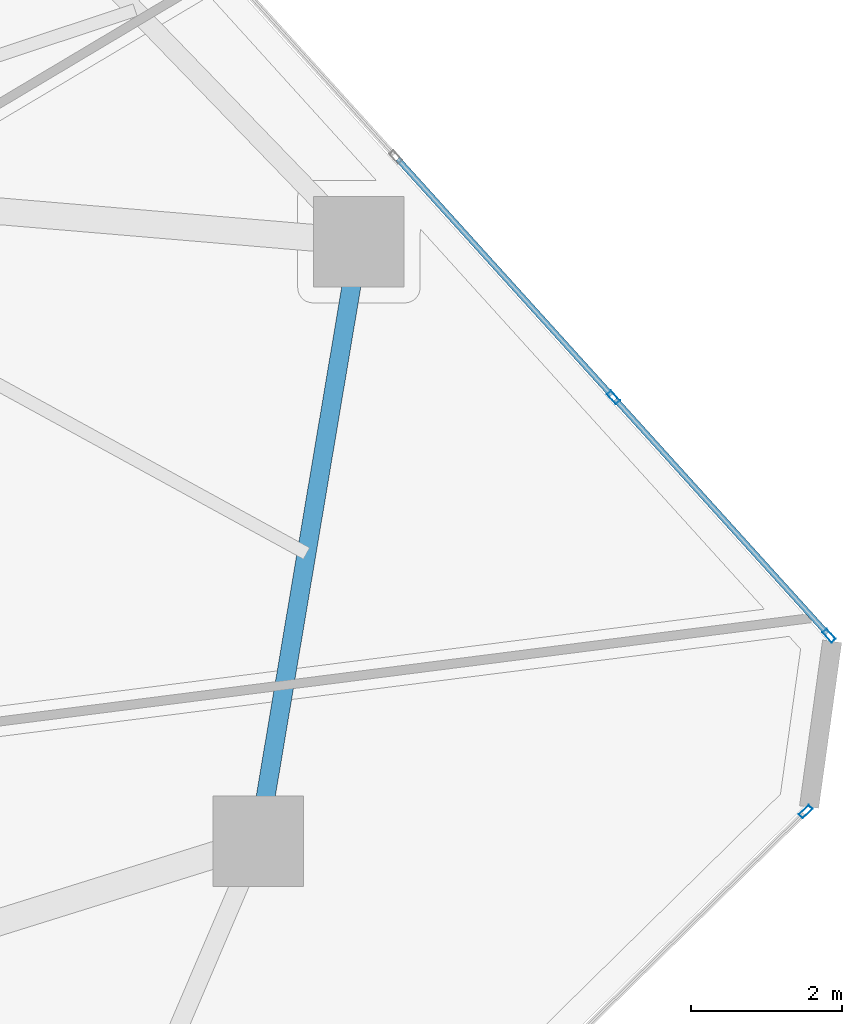
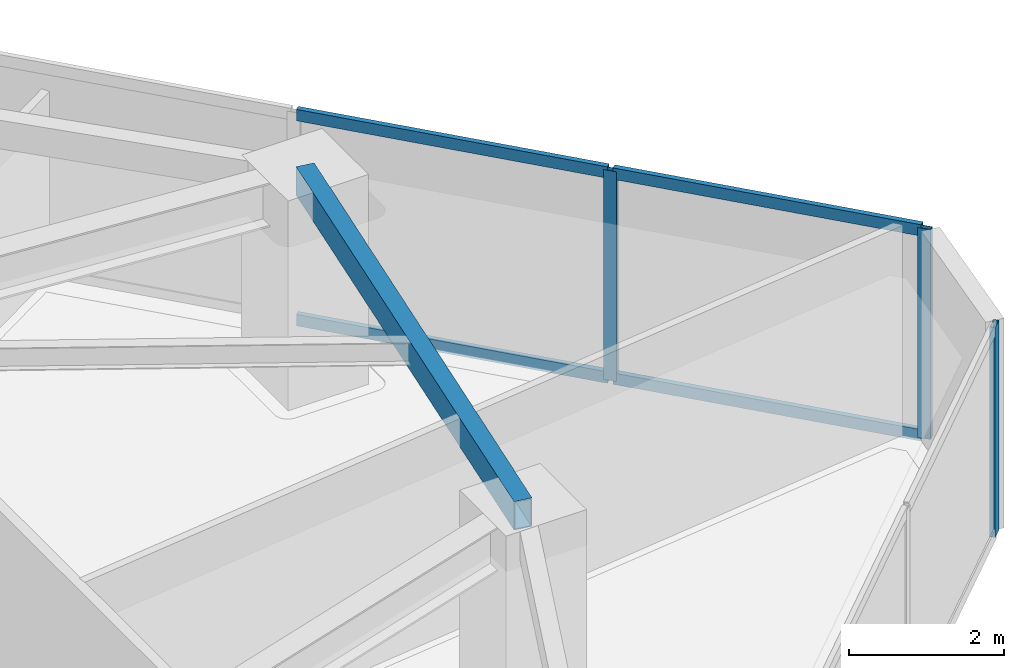
# One storey, part 14 of 21: 7 members, 1 beam, 2 elements without a shape of their own.
"""IFC4 building model written with IfcOpenShell, lengths in metres."""

import ifcopenshell
import ifcopenshell.guid

model = None  # the IFC model being written
_history = None  # IfcOwnerHistory: only IFC2X3 demands one
_inside = {}  # id of a spatial element -> (the spatial element, [elements in it])
_under = {}  # id of a project, library or spatial element -> (it, [spatial elements below it])
_declared = {}  # id of a project -> (the project, [libraries it declares])
_typed = {}  # id of a type object -> (the type object, [elements of that type])
_made_of = {}  # id of a material, layer set ... -> (it, [elements and type objects made of it])


def new_model(schema):
    """Start an empty IFC model of exactly this schema.

    Asked for "IFC4X3", IfcOpenShell would pick the latest addendum, in which some entities
    have other attributes; the version numbers below select the first issue.
    IFC2X3 requires an IfcOwnerHistory on every rooted entity: one is made here for all.
    """
    global model, _history
    if schema == "IFC4X3":
        model = ifcopenshell.file(schema_version=(4, 3, 0, 0))
    else:
        model = ifcopenshell.file(schema=schema)
    _inside.clear()
    _under.clear()
    _declared.clear()
    _typed.clear()
    _made_of.clear()
    _history = None
    if model.schema == "IFC2X3":
        org = make("IfcOrganization", Name="unknown")
        user = make(
            "IfcPersonAndOrganization",
            ThePerson=make("IfcPerson", FamilyName="unknown"),
            TheOrganization=org,
        )
        app = make(
            "IfcApplication",
            ApplicationDeveloper=org,
            Version="unknown",
            ApplicationFullName="unknown",
            ApplicationIdentifier="unknown",
        )
        _history = make(
            "IfcOwnerHistory",
            OwningUser=user,
            OwningApplication=app,
            ChangeAction="ADDED",
            CreationDate=0,
        )
    return model


def make(cls, **values):
    """One entity of the class cls with the attributes given. An attribute that is None is left unset."""
    return model.create_entity(
        cls, **{name: value for name, value in values.items() if value is not None}
    )


def rooted(cls, **values):
    """An entity with a GlobalId (a new one), such as an element, a storey or a relation."""
    return make(cls, GlobalId=ifcopenshell.guid.new(), OwnerHistory=_history, **values)


def si_unit(unit_type, name, prefix=None):
    """IfcSIUnit, for example si_unit("LENGTHUNIT", "METRE", prefix="MILLI")."""
    return make("IfcSIUnit", UnitType=unit_type, Prefix=prefix, Name=name)


def assignment(units):
    """IfcUnitAssignment: the units of a project."""
    return None if units is None else make("IfcUnitAssignment", Units=units)


def point(xyz):
    """IfcCartesianPoint."""
    return None if xyz is None else make("IfcCartesianPoint", Coordinates=xyz)


def direction(xyz):
    """IfcDirection."""
    return None if xyz is None else make("IfcDirection", DirectionRatios=xyz)


def frame(location, z_axis=None, x_axis=None):
    """IfcAxis2Placement3D, a coordinate frame: its origin and axes. An axis left out is left unset."""
    return make(
        "IfcAxis2Placement3D",
        Location=point(location),
        Axis=direction(z_axis),
        RefDirection=direction(x_axis),
    )


def frame_2d(location, x_axis=None):
    """IfcAxis2Placement2D, a coordinate frame in the plane: its origin and x axis."""
    return make(
        "IfcAxis2Placement2D", Location=point(location), RefDirection=direction(x_axis)
    )


def origin():
    """The frame at (0, 0, 0) with its axes left unset."""
    return frame((0.0, 0.0, 0.0))


def origin_2d():
    """The frame at (0, 0) in the plane with its x axis left unset."""
    return frame_2d((0.0, 0.0))


def place(relative_to, where):
    """IfcLocalPlacement: puts the frame where relative to a parent placement (None: the world)."""
    return make(
        "IfcLocalPlacement", PlacementRelTo=relative_to, RelativePlacement=where
    )


def context(
    kind, dimensions, precision=None, world=None, true_north=None, identifier=None
):
    """IfcGeometricRepresentationContext, for example the 3D "Model" context."""
    return make(
        "IfcGeometricRepresentationContext",
        ContextIdentifier=identifier,
        ContextType=kind,
        CoordinateSpaceDimension=dimensions,
        Precision=precision,
        WorldCoordinateSystem=world,
        TrueNorth=true_north,
    )


def subcontext(parent, identifier, kind, view, scale=None):
    """IfcGeometricRepresentationSubContext, for example "Body" below "Model"."""
    return make(
        "IfcGeometricRepresentationSubContext",
        ContextIdentifier=identifier,
        ContextType=kind,
        ParentContext=parent,
        TargetScale=scale,
        TargetView=view,
    )


def project(units=None, contexts=None):
    """IfcProject with its units and contexts."""
    return rooted(
        "IfcProject",
        Name="project",
        RepresentationContexts=contexts,
        UnitsInContext=assignment(units),
    )


def spatial(cls, under=None, at=None, **own):
    """A site, building, storey or space (cls), placed at a placement, below another one or the project."""
    s = rooted(cls, ObjectPlacement=at, **own)
    if under is not None:
        _under.setdefault(under.id(), (under, []))[1].append(s)
    return s


def profile(cls, at=None, kind="AREA", **sizes):
    """A parametric profile (cls). Its sizes go by their IFC names, for example OverallWidth=200.0."""
    return make(cls, ProfileType=kind, Position=at, **sizes)


def hollow_rectangle(**sizes):
    """IfcRectangleHollowProfileDef."""
    return profile("IfcRectangleHollowProfileDef", **sizes)


def extrude(swept, where, along, depth):
    """IfcExtrudedAreaSolid: the profile swept, set in the frame where, extruded along a direction by depth."""
    return make(
        "IfcExtrudedAreaSolid",
        SweptArea=swept,
        Position=where,
        ExtrudedDirection=direction(along),
        Depth=depth,
    )


def shape(context_of_items, identifier, shape_type, items):
    """IfcShapeRepresentation: the items that make up one representation, for example the "Body"."""
    return make(
        "IfcShapeRepresentation",
        ContextOfItems=context_of_items,
        RepresentationIdentifier=identifier,
        RepresentationType=shape_type,
        Items=items,
    )


def source(mapping_origin, context_of_items, identifier, shape_type, items):
    """IfcRepresentationMap: a shape defined once, which mapped items show again and again."""
    return make(
        "IfcRepresentationMap",
        MappingOrigin=mapping_origin,
        MappedRepresentation=shape(context_of_items, identifier, shape_type, items),
    )


def transform(
    local_origin,
    x_axis=None,
    y_axis=None,
    z_axis=None,
    scale=None,
    scale2=None,
    scale3=None,
    uniform=True,
):
    """IfcCartesianTransformationOperator3D, or its non-uniform kind. x_axis, y_axis, z_axis: its Axis1, 2, 3."""
    if uniform:
        return make(
            "IfcCartesianTransformationOperator3D",
            Axis1=direction(x_axis),
            Axis2=direction(y_axis),
            LocalOrigin=point(local_origin),
            Scale=scale,
            Axis3=direction(z_axis),
        )
    return make(
        "IfcCartesianTransformationOperator3DnonUniform",
        Axis1=direction(x_axis),
        Axis2=direction(y_axis),
        LocalOrigin=point(local_origin),
        Scale=scale,
        Axis3=direction(z_axis),
        Scale2=scale2,
        Scale3=scale3,
    )


def mapped(mapping_source, mapping_target):
    """IfcMappedItem: shows the shape of a source again, moved by a transform."""
    return make(
        "IfcMappedItem", MappingSource=mapping_source, MappingTarget=mapping_target
    )


def material(Name=None, Category=None):
    """IfcMaterial."""
    return make("IfcMaterial", Name=Name, Category=Category)


def layer(
    of_material, thickness, ventilated=None, Name=None, Category=None, Priority=None
):
    """IfcMaterialLayer: one layer of a wall or slab, of a material (None: an air gap)."""
    return make(
        "IfcMaterialLayer",
        Material=of_material,
        LayerThickness=thickness,
        IsVentilated=ventilated,
        Name=Name,
        Category=Category,
        Priority=Priority,
    )


def layer_set(layers, Name=None):
    """IfcMaterialLayerSet."""
    return make("IfcMaterialLayerSet", MaterialLayers=layers, LayerSetName=Name)


def material_profile(
    of_material, cross_section, Name=None, Category=None, Priority=None
):
    """IfcMaterialProfile: a cross section and its material."""
    return make(
        "IfcMaterialProfile",
        Name=Name,
        Material=of_material,
        Profile=cross_section,
        Priority=Priority,
        Category=Category,
    )


def profile_set(profiles, Name=None, composite=None):
    """IfcMaterialProfileSet."""
    return make(
        "IfcMaterialProfileSet",
        Name=Name,
        MaterialProfiles=profiles,
        CompositeProfile=composite,
    )


def made_of(thing, what):
    """Note that an element or type object is made of a material, layer set ...; save() writes the relation."""
    if what is not None:
        _made_of.setdefault(what.id(), (what, []))[1].append(thing)
    return thing


def type_object(cls, material=None, **own):
    """A type object (cls), such as IfcWallType, which elements share."""
    return made_of(rooted(cls, **own), material)


def type_shapes(of_type, sources):
    """Give a type object the sources (RepresentationMaps) that its elements show as mapped items."""
    of_type.RepresentationMaps = sources


def element(
    cls,
    number,
    at=None,
    inside=None,
    cuts=None,
    type_object=None,
    material=None,
    context=None,
    identifier="Body",
    shape_type=None,
    held_by="IfcProductDefinitionShape",
    body=None,
    shapes=None,
    **own,
):
    """One element of the class cls, such as IfcWall. Its Tag is "e" and its number.

    at: its placement. inside: the storey or other place that contains it. cuts: it is an
    opening in that element (IfcRelVoidsElement). A single representation is given by context,
    identifier, shape_type and body (its items); several are given by shapes. held_by: the class
    of the entity that holds the representations. save() writes the other relations.
    """
    e = rooted(cls, Tag="e%d" % number, ObjectPlacement=at, **own)
    if body is not None:
        shapes = [shape(context, identifier, shape_type, body)]
    if shapes is not None:
        e.Representation = make(held_by, Representations=shapes)
    if inside is not None:
        _inside.setdefault(inside.id(), (inside, []))[1].append(e)
    if cuts is not None:
        rooted(
            "IfcRelVoidsElement", RelatingBuildingElement=cuts, RelatedOpeningElement=e
        )
    if type_object is not None:
        _typed.setdefault(type_object.id(), (type_object, []))[1].append(e)
    return made_of(e, material)


def aggregate(whole, parts):
    """IfcRelAggregates: a whole, such as a stair, and the parts it consists of."""
    return rooted("IfcRelAggregates", RelatingObject=whole, RelatedObjects=parts)


def save(model, path):
    """Write the relations noted so far, then the file.

    IfcRelAggregates (storeys below a building ...), IfcRelContainedInSpatialStructure (elements
    in a storey), IfcRelDefinesByType, IfcRelAssociatesMaterial and IfcRelDeclares: one each for
    every whole, place, type object, material and project.
    """
    for whole, parts in _under.values():
        aggregate(whole, parts)
    for where, things in _inside.values():
        rooted(
            "IfcRelContainedInSpatialStructure",
            RelatedElements=things,
            RelatingStructure=where,
        )
    for kind, things in _typed.values():
        rooted("IfcRelDefinesByType", RelatedObjects=things, RelatingType=kind)
    for what, things in _made_of.values():
        rooted("IfcRelAssociatesMaterial", RelatedObjects=things, RelatingMaterial=what)
    for by, libraries in _declared.values():
        rooted("IfcRelDeclares", RelatingContext=by, RelatedDefinitions=libraries)
    model.write(path)


model = new_model("IFC4")

# Units and contexts
model_context = context("Model", 3, precision=1e-05, world=origin(), true_north=direction((0.0, 1.0)))
body_context = subcontext(model_context, "Body", "Model", "MODEL_VIEW")
ifc_project = project(units=[si_unit("LENGTHUNIT", "METRE"), si_unit("AREAUNIT", "SQUARE_METRE"), si_unit("VOLUMEUNIT", "CUBIC_METRE"), si_unit("PLANEANGLEUNIT", "RADIAN"), si_unit("MASSUNIT", "GRAM", prefix="KILO")], contexts=[model_context])

# Site, building, storey
site_placement = place(None, origin())
site = spatial("IfcSite", under=ifc_project, at=site_placement, CompositionType="ELEMENT")
building_placement = place(site_placement, origin())
building = spatial("IfcBuilding", under=site, at=building_placement, Name="Talar Marvaseh", CompositionType="ELEMENT")
storey_placement = place(building_placement, frame((0.0, 0.0, 93.0)))
storey = spatial("IfcBuildingStorey", under=building, at=storey_placement, Name="L23", CompositionType="ELEMENT", Elevation=93.0)

# Beam
ifc_material_1 = material(Name="Steel S355", Category="steel")
ifc_material_profile_1 = material_profile(ifc_material_1, hollow_rectangle(XDim=0.25, YDim=0.449951171875, WallThickness=0.01611328125, at=origin_2d()), Name="RHS450x250x16")
ifc_profile_set_1 = profile_set([ifc_material_profile_1], Name="Steel S355")
beam_type = type_object("IfcBeamType", Name="Zone 2 Perimeter Spandrel Beam RHS450x250x16", PredefinedType="SPANDREL", material=ifc_profile_set_1)
beam_placement = place(storey_placement, frame((43.0439453125, 36.075927734375, 3.0849609375), z_axis=(-0.165641685249, -0.986186002795, 0.0), x_axis=(0.986186002795, -0.165641685249, 0.0)))
element("IfcBeam", 1, at=beam_placement, inside=storey, type_object=beam_type, Name="L23 Zone 2 Perimeter Spandrel Beam RHS450x250x16", PredefinedType="SPANDREL", context=body_context, shape_type="SweptSolid", body=[
    extrude(hollow_rectangle(XDim=0.25, YDim=0.449951171875, WallThickness=0.01611328125, at=origin_2d()), origin(), (0.0, 0.0, 1.0), 8.059326171875),
])

# Curtain wall, members
ifc_material_2 = material(Name="Architectural Aluminium", Category="aluminium")
ifc_layer = layer(ifc_material_2, 0.199951171875)
ifc_layer_set = layer_set([ifc_layer], Name="Architectural Aluminium")
curtain_wall_type = type_object("IfcCurtainWallType", Name="Unitised Acoustic Library Curtain Wall Z2", PredefinedType="NOTDEFINED", material=ifc_layer_set)
curtain_wall_1_placement = place(storey_placement, origin())
curtain_wall_1 = element("IfcCurtainWall", 2, at=curtain_wall_1_placement, inside=storey, type_object=curtain_wall_type, Name="L23 Unitised Acoustic Library Curtain Wall Z2", PredefinedType="NOTDEFINED")
ifc_material_profile_2 = material_profile(ifc_material_2, hollow_rectangle(XDim=0.074951171875, YDim=0.179931640625, WallThickness=0.0048828125, at=origin_2d()), Name="RHS180x75x5")
ifc_profile_set_2 = profile_set([ifc_material_profile_2], Name="Architectural Aluminium")
member_type_1 = type_object("IfcMemberType", Name="Unitised Curtain Wall Standard Mullion RHS180x75x5", PredefinedType="MULLION", material=ifc_profile_set_2)
shared_shape_1 = source(origin(), body_context, "Body", "SweptSolid", [
    extrude(hollow_rectangle(XDim=0.074951171875, YDim=0.179931640625, WallThickness=0.0048828125, at=origin_2d()), origin(), (0.0, 0.0, 1.0), 3.31005859375),
])
type_shapes(member_type_1, [shared_shape_1])
member_1_placement = place(storey_placement, frame((46.417724609375, 34.0126953125, 0.0), z_axis=(0.0, 0.0, 1.0), x_axis=(0.741347372116, 0.67112150454, 0.0)))
member_1 = element("IfcMember", 3, at=member_1_placement, type_object=member_type_1, Name="CW-Z2 mullion 4", PredefinedType="MULLION", context=body_context, shape_type="MappedRepresentation", body=[
    mapped(shared_shape_1, transform((0.0, 0.0, 0.0), x_axis=(1.0, 0.0, 0.0), y_axis=(0.0, 1.0, 0.0), z_axis=(0.0, 0.0, 1.0), scale=1.0)),
])
member_2_placement = place(storey_placement, frame((49.277099609375, 30.854248046875, 0.0), z_axis=(0.0, 0.0, 1.0), x_axis=(0.741347372116, 0.67112150454, 0.0)))
member_2 = element("IfcMember", 4, at=member_2_placement, type_object=member_type_1, Name="CW-Z2 mullion 5", PredefinedType="MULLION", context=body_context, shape_type="MappedRepresentation", body=[
    mapped(shared_shape_1, transform((0.0, 0.0, 0.0), x_axis=(1.0, 0.0, 0.0), y_axis=(0.0, 1.0, 0.0), z_axis=(0.0, 0.0, 1.0), scale=1.0)),
])

# Curtain wall, member
curtain_wall_2_placement = place(storey_placement, origin())
curtain_wall_2 = element("IfcCurtainWall", 5, at=curtain_wall_2_placement, inside=storey, type_object=curtain_wall_type, Name="L23 Unitised Acoustic Library Curtain Wall Z2", PredefinedType="NOTDEFINED")
member_3_placement = place(storey_placement, frame((48.96728515625, 28.521728515625, 0.0), z_axis=(0.0, 0.0, 1.0), x_axis=(0.700796979423, -0.713360773825, 0.0)))
member_3 = element("IfcMember", 6, at=member_3_placement, type_object=member_type_1, Name="CW-Z2 mullion 1", PredefinedType="MULLION", context=body_context, shape_type="MappedRepresentation", body=[
    mapped(shared_shape_1, transform((0.0, 0.0, 0.0), x_axis=(1.0, 0.0, 0.0), y_axis=(0.0, 1.0, 0.0), z_axis=(0.0, 0.0, 1.0), scale=1.0)),
])
aggregate(curtain_wall_2, [member_3])

# Member
ifc_material_profile_3 = material_profile(ifc_material_2, hollow_rectangle(XDim=0.074951171875, YDim=0.179931640625, WallThickness=0.0048828125, at=origin_2d()), Name="RHS180x75x5")
ifc_profile_set_3 = profile_set([ifc_material_profile_3], Name="Architectural Aluminium")
member_type_2 = type_object("IfcMemberType", Name="Unitised Curtain Wall Transom RHS180x75x5", PredefinedType="USERDEFINED", material=ifc_profile_set_3)
shared_shape_2 = source(origin(), body_context, "Body", "SweptSolid", [
    extrude(hollow_rectangle(XDim=0.074951171875, YDim=0.179931640625, WallThickness=0.0048828125, at=origin_2d()), origin(), (0.0, 0.0, 1.0), 4.222900390625),
])
member_4_placement = place(storey_placement, frame((43.55859375, 37.171142578125, 0.03759765625), z_axis=(0.671111614069, -0.741356325569, 0.0), x_axis=(0.741356325569, 0.671111614069, 0.0)))
member_4 = element("IfcMember", 7, at=member_4_placement, type_object=member_type_2, Name="CW-Z2 transom 3.1", ObjectType="TRANSOM", PredefinedType="USERDEFINED", context=body_context, shape_type="MappedRepresentation", body=[
    mapped(shared_shape_2, transform((0.0, 0.0, 0.0), x_axis=(1.0, 0.0, 0.0), y_axis=(0.0, 1.0, 0.0), z_axis=(0.0, 0.0, 1.0), scale=1.0)),
])

member_5_placement = place(storey_placement, frame((43.55859375, 37.171142578125, 3.2724609375), z_axis=(0.671111614069, -0.741356325569, 0.0), x_axis=(0.741356325569, 0.671111614069, 0.0)))
member_5 = element("IfcMember", 8, at=member_5_placement, type_object=member_type_2, Name="CW-Z2 transom 3.2", ObjectType="TRANSOM", PredefinedType="USERDEFINED", context=body_context, shape_type="MappedRepresentation", body=[
    mapped(shared_shape_2, transform((0.0, 0.0, 0.0), x_axis=(1.0, 0.0, 0.0), y_axis=(0.0, 1.0, 0.0), z_axis=(0.0, 0.0, 1.0), scale=1.0)),
])

shared_shape_3 = source(origin(), body_context, "Body", "SweptSolid", [
    extrude(hollow_rectangle(XDim=0.074951171875, YDim=0.179931640625, WallThickness=0.0048828125, at=origin_2d()), origin(), (0.0, 0.0, 1.0), 4.185546875),
])
type_shapes(member_type_2, [shared_shape_2, shared_shape_3])
member_6_placement = place(storey_placement, frame((46.44287109375, 33.98486328125, 0.03759765625), z_axis=(0.671150029901, -0.741321547889, 0.0), x_axis=(0.741321547889, 0.671150029901, 0.0)))
member_6 = element("IfcMember", 9, at=member_6_placement, type_object=member_type_2, Name="CW-Z2 transom 4.1", ObjectType="TRANSOM", PredefinedType="USERDEFINED", context=body_context, shape_type="MappedRepresentation", body=[
    mapped(shared_shape_3, transform((0.0, 0.0, 0.0), x_axis=(1.0, 0.0, 0.0), y_axis=(0.0, 1.0, 0.0), z_axis=(0.0, 0.0, 1.0), scale=1.0)),
])

member_7_placement = place(storey_placement, frame((46.44287109375, 33.98486328125, 3.2724609375), z_axis=(0.671150029901, -0.741321547889, 0.0), x_axis=(0.741321547889, 0.671150029901, 0.0)))
member_7 = element("IfcMember", 10, at=member_7_placement, type_object=member_type_2, Name="CW-Z2 transom 4.2", ObjectType="TRANSOM", PredefinedType="USERDEFINED", context=body_context, shape_type="MappedRepresentation", body=[
    mapped(shared_shape_3, transform((0.0, 0.0, 0.0), x_axis=(1.0, 0.0, 0.0), y_axis=(0.0, 1.0, 0.0), z_axis=(0.0, 0.0, 1.0), scale=1.0)),
])

aggregate(curtain_wall_1, [member_1, member_2, member_4, member_5, member_6, member_7])

save(model, "model.ifc")
